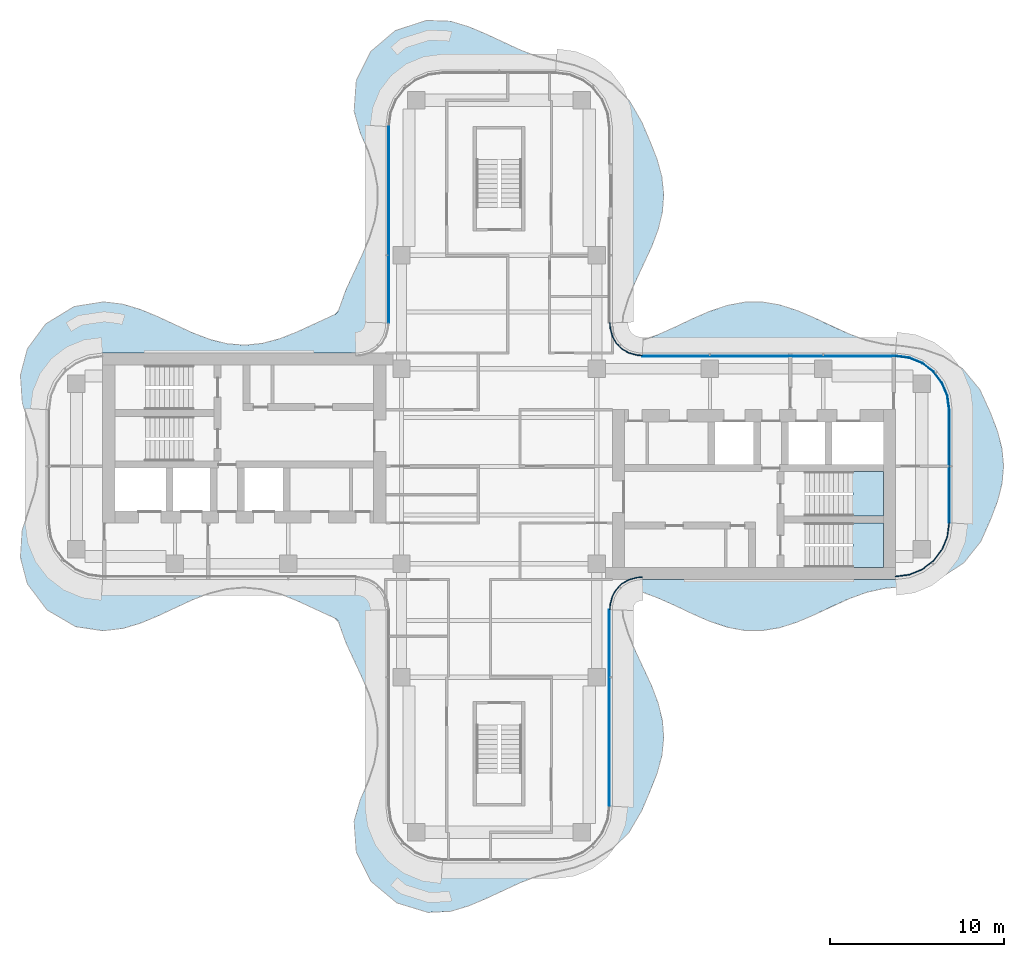
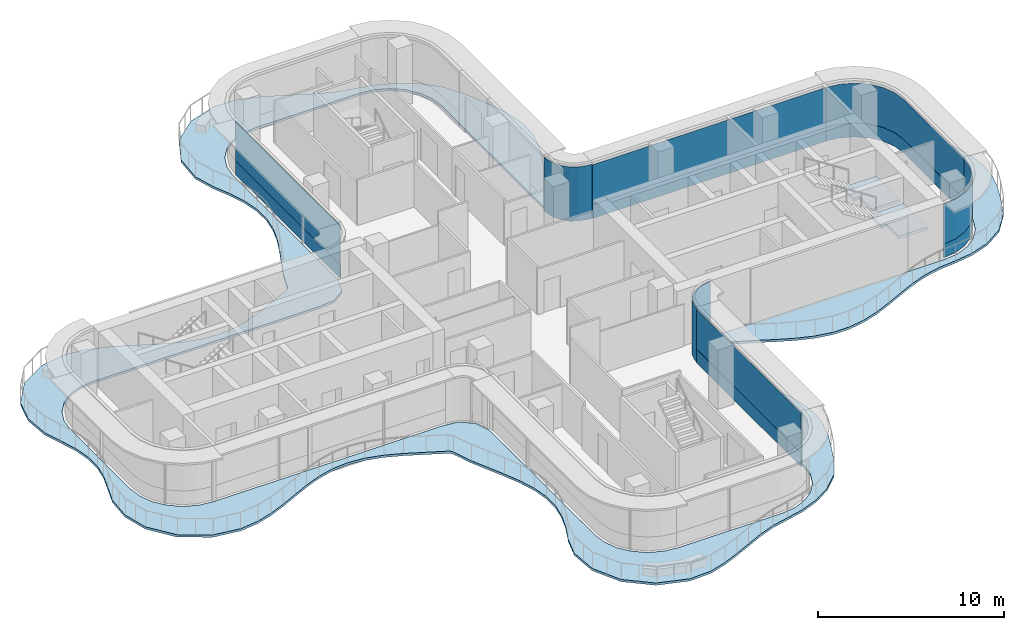
# One storey, part 9 of 15: 12 plates, 3 slabs, 9 elements without a shape of their own.
"""IFC4 building model written with IfcOpenShell, lengths in metres."""

from ifc_helpers import new_model, si_unit, direction, frame, origin, place, context, subcontext, project, spatial, polyline, outline, extrude, source, transform, mapped, material, layer, layer_set, type_object, element, aggregate, save


model = new_model("IFC4")

# Units and contexts
model_context = context("Model", 3, precision=1e-05, world=origin(), true_north=direction((0.0, 1.0)))
body_context = subcontext(model_context, "Body", "Model", "MODEL_VIEW")
ifc_project = project(units=[si_unit("LENGTHUNIT", "METRE"), si_unit("AREAUNIT", "SQUARE_METRE"), si_unit("VOLUMEUNIT", "CUBIC_METRE"), si_unit("PLANEANGLEUNIT", "RADIAN"), si_unit("MASSUNIT", "GRAM", prefix="KILO")], contexts=[model_context])

# Site, building, storey
site_placement = place(None, origin())
site = spatial("IfcSite", under=ifc_project, at=site_placement, CompositionType="ELEMENT")
building_placement = place(site_placement, origin())
building = spatial("IfcBuilding", under=site, at=building_placement, Name="Trellis Farm Tower", CompositionType="ELEMENT")
storey_placement = place(building_placement, frame((0.0, 0.0, 287.199951171875)))
storey = spatial("IfcBuildingStorey", under=building, at=storey_placement, Name="L64", CompositionType="ELEMENT", Elevation=287.199951171875)

# Slab
ifc_material_1 = material(Name="Concrete C40/50", Category="concrete")
ifc_layer_1 = layer(ifc_material_1, 0.14990234375)
ifc_layer_set_1 = layer_set([ifc_layer_1], Name="Balcony slab 150")
slab_type_1 = type_object("IfcSlabType", Name="Balcony slab 150", PredefinedType="FLOOR", material=ifc_layer_set_1)
slab_1_placement = place(storey_placement, frame((0.0, 0.0, -0.14990234375)))
element("IfcSlab", 1, at=slab_1_placement, inside=storey, type_object=slab_type_1, Name="Balcony slab", PredefinedType="FLOOR", context=body_context, shape_type="SweptSolid", body=[
    extrude(outline(polyline([(-26.47802734375, -0.5234375), (-26.47265625, 0.462158203125), (-26.473876953125, 0.475341796875), (-26.65625, 1.516845703125), (-26.658935546875, 1.527587890625), (-27.3544921875, 3.62353515625), (-27.36181640625, 3.660400390625), (-27.46875, 5.182373046875), (-27.464599609375, 5.22998046875), (-27.092529296875, 6.68212890625), (-27.082763671875, 6.709228515625), (-27.066650390625, 6.742919921875), (-27.0517578125, 6.767822265625), (-26.01708984375, 8.16796875), (-25.997314453125, 8.18994140625), (-25.968994140625, 8.2158203125), (-25.945068359375, 8.2333984375), (-24.38232421875, 9.167724609375), (-24.356201171875, 9.180419921875), (-24.32080078125, 9.19287109375), (-24.2919921875, 9.2001953125), (-22.690185546875, 9.435791015625), (-22.64990234375, 9.436279296875), (-21.626220703125, 9.30859375), (-21.60205078125, 9.3037109375), (-20.599609375, 9.0068359375), (-20.584716796875, 9.001708984375), (-19.6005859375, 8.593994140625), (-19.5947265625, 8.59130859375), (-17.6162109375, 7.670654296875), (-17.611083984375, 7.66845703125), (-16.588134765625, 7.27880859375), (-16.579345703125, 7.276123046875), (-15.58251953125, 7.03125), (-15.570556640625, 7.029296875), (-14.58154296875, 6.953857421875), (-14.568115234375, 6.9541015625), (-13.585693359375, 7.054931640625), (-13.57421875, 7.056884765625), (-12.593505859375, 7.318603515625), (-12.585205078125, 7.3212890625), (-11.601318359375, 7.707763671875), (-11.597412109375, 7.70947265625), (-9.42236328125, 8.711669921875), (-9.410888671875, 8.718017578125), (-9.303466796875, 8.792724609375), (-9.281494140625, 8.81689453125), (-9.216552734375, 8.930419921875), (-9.211181640625, 8.9423828125), (-8.79296875, 10.10693359375), (-8.7880859375, 10.119384765625), (-7.87109375, 12.09814453125), (-7.870361328125, 12.10009765625), (-7.45068359375, 13.085693359375), (-7.447998046875, 13.09228515625), (-7.135986328125, 14.073974609375), (-7.133544921875, 14.08447265625), (-6.97119140625, 15.0654296875), (-6.97021484375, 15.07861328125), (-6.981201171875, 16.064697265625), (-6.982421875, 16.07763671875), (-7.168212890625, 17.07177734375), (-7.1708984375, 17.081787109375), (-7.507568359375, 18.08251953125), (-7.510009765625, 18.08837890625), (-7.951416015625, 19.10107421875), (-7.9580078125, 19.119140625), (-8.31396484375, 20.342529296875), (-8.319091796875, 20.368408203125), (-8.322509765625, 20.402587890625), (-8.322998046875, 20.42919921875), (-8.207275390625, 22.077392578125), (-8.202392578125, 22.10595703125), (-8.1923828125, 22.142333984375), (-8.182373046875, 22.16943359375), (-7.406494140625, 23.744140625), (-7.39013671875, 23.77001953125), (-7.36572265625, 23.80126953125), (-7.344482421875, 23.823486328125), (-5.9560546875, 25.000732421875), (-5.931396484375, 25.017578125), (-5.897705078125, 25.036376953125), (-5.870361328125, 25.048095703125), (-4.167724609375, 25.584716796875), (-4.14208984375, 25.590576171875), (-4.10791015625, 25.594970703125), (-4.081787109375, 25.595947265625), (-2.788330078125, 25.5361328125), (-2.751708984375, 25.52978515625), (-1.763916015625, 25.229248046875), (-1.74951171875, 25.22412109375), (-0.748291015625, 24.802490234375), (-0.743408203125, 24.80029296875), (1.23486328125, 23.882080078125), (1.240234375, 23.8798828125), (2.2216796875, 23.51318359375), (2.23095703125, 23.51025390625), (4.34912109375, 23.01611328125), (4.3701171875, 23.009521484375), (5.429931640625, 22.59228515625), (5.452880859375, 22.5810546875), (6.489990234375, 21.95068359375), (6.516845703125, 21.9296875), (7.451171875, 21.015380859375), (7.476318359375, 20.98291015625), (8.191162109375, 19.743896484375), (8.199462890625, 19.727294921875), (8.674560546875, 18.6025390625), (8.67578125, 18.599609375), (9.0654296875, 17.6171875), (9.07080078125, 17.601318359375), (9.336181640625, 16.626220703125), (9.3408203125, 16.6025390625), (9.44677734375, 15.60009765625), (9.447021484375, 15.572998046875), (9.373046875, 14.601318359375), (9.369140625, 14.5771484375), (9.130615234375, 13.602783203125), (9.125244140625, 13.58544921875), (8.75439453125, 12.604736328125), (8.75, 12.594482421875), (7.830078125, 10.615234375), (7.828857421875, 10.61279296875), (7.416748046875, 9.627685546875), (7.414306640625, 9.62060546875), (7.118408203125, 8.652587890625), (7.115478515625, 8.637451171875), (7.051025390625, 7.925537109375), (7.053955078125, 7.8974609375), (7.119140625, 7.68115234375), (7.1318359375, 7.65673828125), (7.365478515625, 7.3583984375), (7.377197265625, 7.3466796875), (7.47607421875, 7.265625), (7.5048828125, 7.251220703125), (7.629150390625, 7.219970703125), (7.6455078125, 7.2177734375), (8.101318359375, 7.205810546875), (8.115478515625, 7.206787109375), (8.231689453125, 7.226318359375), (8.24560546875, 7.229736328125), (9.119384765625, 7.553955078125), (9.123779296875, 7.5556640625), (10.113525390625, 7.996337890625), (10.114990234375, 7.9970703125), (11.10986328125, 8.46923828125), (11.1142578125, 8.47119140625), (12.095458984375, 8.89892578125), (12.107666015625, 8.903564453125), (13.0859375, 9.2314453125), (13.106201171875, 9.236572265625), (14.078857421875, 9.417724609375), (14.104736328125, 9.42041015625), (15.0771484375, 9.430908203125), (15.103271484375, 9.428955078125), (16.08154296875, 9.26611328125), (16.102783203125, 9.260986328125), (17.08935546875, 8.944580078125), (17.1025390625, 8.939697265625), (18.09716796875, 8.513671875), (18.102294921875, 8.511474609375), (19.09814453125, 8.03955078125), (19.099609375, 8.038818359375), (20.086181640625, 7.59423828125), (20.091552734375, 7.592041015625), (21.07421875, 7.235107421875), (21.08349609375, 7.232421875), (22.1162109375, 7.0029296875), (22.12548828125, 7.00146484375), (23.155029296875, 6.905029296875), (23.163330078125, 6.904052734375), (24.277099609375, 6.735595703125), (24.303466796875, 6.729248046875), (25.453857421875, 6.333984375), (25.486328125, 6.318359375), (26.5908203125, 5.607421875), (26.62548828125, 5.576171875), (27.588623046875, 4.400634765625), (27.609375, 4.3671875), (28.211669921875, 3.028564453125), (28.215087890625, 3.02001953125), (28.602294921875, 1.996337890625), (28.607421875, 1.980712890625), (28.853515625, 1.0244140625), (28.857421875, 1.000732421875), (28.947265625, 0.029052734375), (28.947509765625, 0.002197265625), (28.8623046875, -0.97265625), (28.858154296875, -0.996826171875), (28.607421875, -1.980712890625), (28.602294921875, -1.99658203125), (28.215087890625, -3.0205078125), (28.2119140625, -3.0283203125), (27.6328125, -4.32861328125), (27.61279296875, -4.36181640625), (26.666748046875, -5.538818359375), (26.63134765625, -5.57080078125), (25.448486328125, -6.33642578125), (25.414794921875, -6.352783203125), (24.272705078125, -6.73681640625), (24.2470703125, -6.742919921875), (23.1630859375, -6.904052734375), (23.155029296875, -6.905029296875), (22.12548828125, -7.00146484375), (22.1162109375, -7.0029296875), (21.08349609375, -7.232421875), (21.07421875, -7.235107421875), (20.091552734375, -7.592041015625), (20.086181640625, -7.59423828125), (19.099609375, -8.038818359375), (19.09814453125, -8.03955078125), (18.102294921875, -8.511474609375), (18.09716796875, -8.513671875), (17.1025390625, -8.939697265625), (17.08935546875, -8.944580078125), (16.102783203125, -9.260986328125), (16.08154296875, -9.26611328125), (15.103271484375, -9.428955078125), (15.0771484375, -9.430908203125), (14.104736328125, -9.42041015625), (14.078857421875, -9.417724609375), (13.106201171875, -9.236572265625), (13.0859375, -9.2314453125), (12.107666015625, -8.903564453125), (12.095458984375, -8.89892578125), (11.1142578125, -8.47119140625), (11.10986328125, -8.46923828125), (10.114990234375, -7.9970703125), (10.113525390625, -7.996337890625), (9.123779296875, -7.5556640625), (9.119384765625, -7.553955078125), (8.24560546875, -7.229736328125), (8.231689453125, -7.226318359375), (8.115478515625, -7.206787109375), (8.101318359375, -7.205810546875), (7.6455078125, -7.2177734375), (7.629150390625, -7.219970703125), (7.5048828125, -7.251220703125), (7.47607421875, -7.265625), (7.377197265625, -7.3466796875), (7.365478515625, -7.3583984375), (7.1318359375, -7.65673828125), (7.119140625, -7.68115234375), (7.053955078125, -7.8974609375), (7.051025390625, -7.925537109375), (7.115478515625, -8.637451171875), (7.118408203125, -8.652587890625), (7.414306640625, -9.62060546875), (7.416748046875, -9.627685546875), (7.828857421875, -10.61279296875), (7.830078125, -10.615234375), (8.75, -12.594482421875), (8.75439453125, -12.604736328125), (9.125244140625, -13.58544921875), (9.130615234375, -13.602783203125), (9.369140625, -14.5771484375), (9.373046875, -14.601318359375), (9.447021484375, -15.572998046875), (9.44677734375, -15.599853515625), (9.345703125, -16.575439453125), (9.341552734375, -16.598876953125), (9.0771484375, -17.58251953125), (9.07177734375, -17.5986328125), (8.67578125, -18.599365234375), (8.67431640625, -18.602783203125), (8.189697265625, -19.74658203125), (8.18115234375, -19.763916015625), (7.44677734375, -21.02099609375), (7.421630859375, -21.052978515625), (6.5166015625, -21.93017578125), (6.490234375, -21.950439453125), (5.479248046875, -22.56787109375), (5.456298828125, -22.579345703125), (4.3701171875, -23.009521484375), (4.34912109375, -23.01611328125), (2.23095703125, -23.51025390625), (2.2216796875, -23.51318359375), (1.240234375, -23.8798828125), (1.23486328125, -23.882080078125), (-0.743408203125, -24.80029296875), (-0.748291015625, -24.802490234375), (-1.7333984375, -25.21826171875), (-1.747802734375, -25.223388671875), (-2.751708984375, -25.52978515625), (-2.78857421875, -25.5361328125), (-4.081787109375, -25.595947265625), (-4.10791015625, -25.594970703125), (-4.14208984375, -25.590576171875), (-4.167724609375, -25.584716796875), (-5.870361328125, -25.048095703125), (-5.897705078125, -25.036376953125), (-5.931396484375, -25.017578125), (-5.9560546875, -25.000732421875), (-7.344482421875, -23.823486328125), (-7.36572265625, -23.80126953125), (-7.39013671875, -23.77001953125), (-7.406494140625, -23.744140625), (-8.182373046875, -22.16943359375), (-8.1923828125, -22.142333984375), (-8.202392578125, -22.10595703125), (-8.207275390625, -22.077392578125), (-8.322998046875, -20.42919921875), (-8.322509765625, -20.402587890625), (-8.319091796875, -20.368408203125), (-8.31396484375, -20.342529296875), (-7.9580078125, -19.119140625), (-7.951416015625, -19.10107421875), (-7.510009765625, -18.08837890625), (-7.507568359375, -18.08251953125), (-7.1708984375, -17.081787109375), (-7.168212890625, -17.07177734375), (-6.982421875, -16.07763671875), (-6.981201171875, -16.064697265625), (-6.97021484375, -15.07861328125), (-6.97119140625, -15.0654296875), (-7.133544921875, -14.08447265625), (-7.135986328125, -14.073974609375), (-7.447998046875, -13.09228515625), (-7.45068359375, -13.085693359375), (-7.870361328125, -12.10009765625), (-7.87109375, -12.09814453125), (-8.7880859375, -10.119384765625), (-8.79296875, -10.10693359375), (-9.211181640625, -8.9423828125), (-9.216552734375, -8.930419921875), (-9.281494140625, -8.81689453125), (-9.303466796875, -8.792724609375), (-9.410888671875, -8.718017578125), (-9.42236328125, -8.711669921875), (-11.597412109375, -7.70947265625), (-11.601318359375, -7.707763671875), (-12.585205078125, -7.3212890625), (-12.593505859375, -7.318603515625), (-13.629150390625, -7.047119140625), (-13.64111328125, -7.044921875), (-14.630859375, -6.953369140625), (-14.644287109375, -6.953369140625), (-15.626953125, -7.03857421875), (-15.638916015625, -7.04052734375), (-16.61962890625, -7.288818359375), (-16.628173828125, -7.29150390625), (-17.611328125, -7.66845703125), (-17.6162109375, -7.67041015625), (-19.5947265625, -8.59130859375), (-19.6005859375, -8.593994140625), (-20.5849609375, -9.001708984375), (-20.599609375, -9.0068359375), (-21.573486328125, -9.297607421875), (-21.598388671875, -9.302734375), (-22.697509765625, -9.435546875), (-22.73779296875, -9.43505859375), (-24.292236328125, -9.2001953125), (-24.320556640625, -9.193115234375), (-24.356201171875, -9.180419921875), (-24.38232421875, -9.167724609375), (-25.945068359375, -8.2333984375), (-25.968994140625, -8.2158203125), (-25.997314453125, -8.18994140625), (-26.01708984375, -8.16796875), (-27.0517578125, -6.767822265625), (-27.066650390625, -6.742919921875), (-27.082763671875, -6.709228515625), (-27.092529296875, -6.68212890625), (-27.464599609375, -5.229736328125), (-27.468994140625, -5.1826171875), (-27.370361328125, -3.703125), (-27.36328125, -3.666259765625), (-26.646728515625, -1.47900390625), (-26.644287109375, -1.46875), (-26.479248046875, -0.5361328125), (-26.47802734375, -0.5234375)]), holes=[polyline([(-6.82470703125, 7.20947265625), (-6.8583984375, 7.1640625), (-6.89111328125, 7.1318359375), (-7.57177734375, 6.643310546875), (-7.605712890625, 6.625), (-7.6513671875, 6.607666015625), (-7.68896484375, 6.5986328125), (-8.61328125, 6.500732421875), (-8.61767578125, 6.50048828125), (-22.75, 6.50048828125), (-23.59130859375, 6.389892578125), (-24.375244140625, 6.065185546875), (-25.048583984375, 5.548583984375), (-25.565185546875, 4.875244140625), (-25.889892578125, 4.09130859375), (-26.00048828125, 3.25), (-26.00048828125, -3.25), (-25.889892578125, -4.09130859375), (-25.565185546875, -4.875244140625), (-25.048583984375, -5.548583984375), (-24.375244140625, -6.065185546875), (-23.59130859375, -6.389892578125), (-22.75, -6.50048828125), (-8.61767578125, -6.50048828125), (-8.61328125, -6.500732421875), (-7.68896484375, -6.5986328125), (-7.6513671875, -6.607666015625), (-7.605712890625, -6.625), (-7.57177734375, -6.643310546875), (-6.89111328125, -7.1318359375), (-6.8583984375, -7.1640625), (-6.82470703125, -7.20947265625), (-6.802734375, -7.25146484375), (-6.515380859375, -8.11474609375), (-6.5078125, -8.162109375), (-6.50048828125, -18.239013671875), (-6.50048828125, -19.5), (-6.389892578125, -20.34130859375), (-6.065185546875, -21.125244140625), (-5.548583984375, -21.798583984375), (-4.875244140625, -22.315185546875), (-4.09130859375, -22.639892578125), (-3.25, -22.75048828125), (3.25, -22.75048828125), (4.09130859375, -22.639892578125), (4.875244140625, -22.315185546875), (5.548583984375, -21.798583984375), (6.065185546875, -21.125244140625), (6.389892578125, -20.34130859375), (6.50048828125, -19.5), (6.50048828125, -12.636962890625), (6.5009765625, -8.607421875), (6.501953125, -8.59130859375), (6.599365234375, -7.68603515625), (6.6083984375, -7.6484375), (6.6259765625, -7.602783203125), (6.644287109375, -7.568603515625), (7.134521484375, -6.889404296875), (7.166748046875, -6.856689453125), (7.2119140625, -6.822998046875), (7.254150390625, -6.80126953125), (8.117919921875, -6.51513671875), (8.164794921875, -6.507568359375), (20.985107421875, -6.50048828125), (22.75, -6.50048828125), (23.59130859375, -6.389892578125), (24.375244140625, -6.065185546875), (25.048583984375, -5.548583984375), (25.565185546875, -4.875244140625), (25.889892578125, -4.09130859375), (26.00048828125, -3.25), (26.00048828125, 3.25), (25.889892578125, 4.09130859375), (25.565185546875, 4.875244140625), (25.048583984375, 5.548583984375), (24.375244140625, 6.065185546875), (23.59130859375, 6.389892578125), (22.75, 6.50048828125), (20.985107421875, 6.50048828125), (8.164794921875, 6.507568359375), (8.117919921875, 6.51513671875), (7.254150390625, 6.80126953125), (7.2119140625, 6.822998046875), (7.166748046875, 6.856689453125), (7.134521484375, 6.889404296875), (6.644287109375, 7.568603515625), (6.6259765625, 7.602783203125), (6.6083984375, 7.6484375), (6.599365234375, 7.686279296875), (6.500732421875, 8.610107421875), (6.50048828125, 8.614990234375), (6.50048828125, 19.5), (6.389892578125, 20.34130859375), (6.065185546875, 21.125244140625), (5.548583984375, 21.798583984375), (4.875244140625, 22.315185546875), (4.09130859375, 22.639892578125), (3.25, 22.75048828125), (-3.25, 22.75048828125), (-4.09130859375, 22.639892578125), (-4.875244140625, 22.315185546875), (-5.548583984375, 21.798583984375), (-6.065185546875, 21.125244140625), (-6.389892578125, 20.34130859375), (-6.50048828125, 19.5), (-6.50048828125, 17.03369140625), (-6.5078125, 8.162109375), (-6.515380859375, 8.11474609375), (-6.802734375, 7.25146484375), (-6.82470703125, 7.20947265625)])]), origin(), (0.0, 0.0, 1.0), 0.14990234375),
])

# Stair, slab
ifc_material_2 = material(Name="Concrete C50/60", Category="concrete")
stair_type = type_object("IfcStairType", Name="CORE EXIT STAIR 22 RISERS 177 MM", PredefinedType="HALF_TURN_STAIR", material=ifc_material_2)
placement_1 = place(storey_placement, origin())
stair_1 = element("IfcStair", 2, at=placement_1, inside=storey, type_object=stair_type, Name="Exit stair E1", PredefinedType="HALF_TURN_STAIR")
ifc_layer_2 = layer(ifc_material_2, 0.18994140625)
ifc_layer_set_2 = layer_set([ifc_layer_2], Name="CORE STAIR LANDING 190 CONCRETE C50/60")
slab_type_2 = type_object("IfcSlabType", Name="CORE STAIR LANDING 190 CONCRETE C50/60", PredefinedType="LANDING", material=ifc_layer_set_2)
shared_shape_1 = source(origin(), body_context, "Body", "SweptSolid", [
    extrude(outline(polyline([(20.2900390625, -5.800048828125), (20.2900390625, -4.60009765625), (20.300048828125, -4.60009765625), (20.300048828125, -4.449951171875), (19.971923828125, -4.449951171875), (19.971923828125, -3.25), (20.300048828125, -3.25), (22.050048828125, -3.25), (22.050048828125, -5.800048828125), (20.300048828125, -5.800048828125), (20.2900390625, -5.800048828125)])), origin(), (0.0, 0.0, 1.0), 0.18994140625),
])
placement_2 = place(storey_placement, frame((0.0, 0.0, 1.760009765625)))
slab_2 = element("IfcSlab", 3, at=placement_2, type_object=slab_type_2, Name="STE1 landing 1", PredefinedType="LANDING", context=body_context, shape_type="MappedRepresentation", body=[
    mapped(shared_shape_1, transform((0.0, 0.0, 0.0))),
])
aggregate(stair_1, [slab_2])

stair_2 = element("IfcStair", 4, at=placement_1, inside=storey, type_object=stair_type, Name="Exit stair E2", PredefinedType="HALF_TURN_STAIR")
shared_shape_2 = source(origin(), body_context, "Body", "SweptSolid", [
    extrude(outline(polyline([(20.2900390625, -2.85009765625), (20.2900390625, -1.64990234375), (20.300048828125, -1.64990234375), (20.300048828125, -1.5), (19.971923828125, -1.5), (19.971923828125, -0.300048828125), (20.300048828125, -0.300048828125), (22.050048828125, -0.300048828125), (22.050048828125, -2.85009765625), (20.300048828125, -2.85009765625), (20.2900390625, -2.85009765625)])), origin(), (0.0, 0.0, 1.0), 0.18994140625),
])
slab_3 = element("IfcSlab", 5, at=placement_2, type_object=slab_type_2, Name="STE2 landing 1", PredefinedType="LANDING", context=body_context, shape_type="MappedRepresentation", body=[
    mapped(shared_shape_2, transform((0.0, 0.0, 0.0))),
])
aggregate(stair_2, [slab_3])

# Curtain wall, plate
ifc_material_3 = material(Name="Aluminium and glass curtain wall", Category="aluminium")
ifc_layer_3 = layer(ifc_material_3, 0.166015625)
ifc_layer_set_3 = layer_set([ifc_layer_3], Name="WINTER GARDEN CURTAIN WALL CW3")
curtain_wall_type_1 = type_object("IfcCurtainWallType", Name="WINTER GARDEN CURTAIN WALL CW3", PredefinedType="NOTDEFINED", material=ifc_layer_set_3)
curtain_wall_1 = element("IfcCurtainWall", 6, at=placement_1, inside=storey, type_object=curtain_wall_type_1, Name="CW3 002", PredefinedType="NOTDEFINED")
ifc_material_4 = material(Name="Clear insulated glass", Category="glass")
ifc_layer_4 = layer(ifc_material_4, 0.0458984375)
ifc_layer_set_4 = layer_set([ifc_layer_4], Name="CW3 GLASS PANEL 46")
plate_type_1 = type_object("IfcPlateType", Name="CW3 GLASS PANEL 46", PredefinedType="CURTAIN_PANEL", material=ifc_layer_set_4)
shared_shape_3 = source(origin(), body_context, "Body", "SweptSolid", [
    extrude(outline(polyline([(6.3798828125, -8.2275390625), (6.394287109375, -8.0078125), (6.40966796875, -7.89208984375), (6.52490234375, -7.462158203125), (6.7509765625, -7.070556640625), (7.070556640625, -6.7509765625), (7.462158203125, -6.52490234375), (7.89208984375, -6.40966796875), (8.0078125, -6.394287109375), (8.2275390625, -6.3798828125), (8.22607421875, -6.333984375), (8.003173828125, -6.3486328125), (7.883056640625, -6.364501953125), (7.4443359375, -6.48193359375), (7.04248046875, -6.714111328125), (6.714111328125, -7.04248046875), (6.48193359375, -7.4443359375), (6.364501953125, -7.883056640625), (6.3486328125, -8.003173828125), (6.333984375, -8.22607421875), (6.3798828125, -8.2275390625)])), origin(), (0.0, 0.0, 1.0), 3.550048828125),
])
plate_1 = element("IfcPlate", 7, at=placement_1, type_object=plate_type_1, Name="PL3 002", PredefinedType="CURTAIN_PANEL", context=body_context, shape_type="MappedRepresentation", body=[
    mapped(shared_shape_3, transform((0.0, 0.0, 0.0))),
])
aggregate(curtain_wall_1, [plate_1])

curtain_wall_2 = element("IfcCurtainWall", 8, at=placement_1, inside=storey, type_object=curtain_wall_type_1, Name="CW3 003", PredefinedType="NOTDEFINED")
shared_shape_4 = source(origin(), body_context, "Body", "SweptSolid", [
    extrude(outline(polyline([(8.2275390625, 6.3798828125), (8.0078125, 6.394287109375), (7.89208984375, 6.40966796875), (7.462158203125, 6.52490234375), (7.070556640625, 6.7509765625), (6.7509765625, 7.070556640625), (6.52490234375, 7.462158203125), (6.40966796875, 7.89208984375), (6.394287109375, 8.0078125), (6.3798828125, 8.2275390625), (6.333984375, 8.22607421875), (6.3486328125, 8.003173828125), (6.364501953125, 7.883056640625), (6.48193359375, 7.4443359375), (6.714111328125, 7.04248046875), (7.04248046875, 6.714111328125), (7.4443359375, 6.48193359375), (7.883056640625, 6.364501953125), (8.003173828125, 6.3486328125), (8.22607421875, 6.333984375), (8.2275390625, 6.3798828125)])), origin(), (0.0, 0.0, 1.0), 3.550048828125),
])
plate_2 = element("IfcPlate", 9, at=placement_1, type_object=plate_type_1, Name="PL3 003", PredefinedType="CURTAIN_PANEL", context=body_context, shape_type="MappedRepresentation", body=[
    mapped(shared_shape_4, transform((0.0, 0.0, 0.0))),
])
aggregate(curtain_wall_2, [plate_2])

# Curtain wall, plates
ifc_layer_5 = layer(ifc_material_3, 0.18994140625)
ifc_layer_set_5 = layer_set([ifc_layer_5], Name="RIBBON CURTAIN WALL CW1")
curtain_wall_type_2 = type_object("IfcCurtainWallType", Name="RIBBON CURTAIN WALL CW1", PredefinedType="NOTDEFINED", material=ifc_layer_set_5)
curtain_wall_3 = element("IfcCurtainWall", 10, at=placement_1, inside=storey, type_object=curtain_wall_type_2, Name="CW1 011", PredefinedType="NOTDEFINED")
ifc_layer_6 = layer(ifc_material_4, 0.0400390625)
ifc_layer_set_6 = layer_set([ifc_layer_6], Name="CW1 GLASS PANEL 40")
plate_type_2 = type_object("IfcPlateType", Name="CW1 GLASS PANEL 40", PredefinedType="CURTAIN_PANEL", material=ifc_layer_set_6)
shared_shape_5 = source(origin(), body_context, "Body", "SweptSolid", [
    extrude(outline(polyline([(-6.35009765625, 19.490234375), (-6.35009765625, 8.2265625), (-6.31005859375, 8.22509765625), (-6.31005859375, 19.487548828125), (-6.35009765625, 19.490234375)])), origin(), (0.0, 0.0, 1.0), 2.619873046875),
])
placement_3 = place(storey_placement, frame((0.0, 0.0, 0.900146484375)))
plate_3 = element("IfcPlate", 11, at=placement_3, type_object=plate_type_2, Name="PL1 011", PredefinedType="CURTAIN_PANEL", context=body_context, shape_type="MappedRepresentation", body=[
    mapped(shared_shape_5, transform((0.0, 0.0, 0.0))),
])
ifc_material_5 = material(Name="Sandstone faced insulated panel", Category="masonry")
ifc_layer_7 = layer(ifc_material_5, 0.050048828125)
ifc_layer_set_7 = layer_set([ifc_layer_7], Name="CW1 STONE SPANDREL PANEL 50")
plate_type_3 = type_object("IfcPlateType", Name="CW1 STONE SPANDREL PANEL 50", PredefinedType="CURTAIN_PANEL", material=ifc_layer_set_7)
shared_shape_6 = source(origin(), body_context, "Body", "SweptSolid", [
    extrude(outline(polyline([(-6.35009765625, 19.490234375), (-6.35009765625, 8.2265625), (-6.300048828125, 8.224853515625), (-6.300048828125, 19.48681640625), (-6.35009765625, 19.490234375)])), origin(), (0.0, 0.0, 1.0), 0.900146484375),
])
plate_4 = element("IfcPlate", 12, at=placement_1, type_object=plate_type_3, Name="PS1 011", PredefinedType="CURTAIN_PANEL", context=body_context, shape_type="MappedRepresentation", body=[
    mapped(shared_shape_6, transform((0.0, 0.0, 0.0))),
])
aggregate(curtain_wall_3, [plate_3, plate_4])

curtain_wall_4 = element("IfcCurtainWall", 13, at=placement_1, inside=storey, type_object=curtain_wall_type_2, Name="CW1 005", PredefinedType="NOTDEFINED")
shared_shape_7 = source(origin(), body_context, "Body", "SweptSolid", [
    extrude(outline(polyline([(22.740234375, -6.35009765625), (23.552001953125, -6.2431640625), (24.29931640625, -5.93359375), (24.941162109375, -5.441162109375), (25.43359375, -4.79931640625), (25.7431640625, -4.052001953125), (25.85009765625, -3.240234375), (25.81005859375, -3.237548828125), (25.7041015625, -4.04150390625), (25.398681640625, -4.779296875), (24.91259765625, -5.41259765625), (24.279296875, -5.898681640625), (23.54150390625, -6.2041015625), (22.737548828125, -6.31005859375), (22.740234375, -6.35009765625)])), origin(), (0.0, 0.0, 1.0), 2.619873046875),
])
plate_5 = element("IfcPlate", 14, at=placement_3, type_object=plate_type_2, Name="PL1 005", PredefinedType="CURTAIN_PANEL", context=body_context, shape_type="MappedRepresentation", body=[
    mapped(shared_shape_7, transform((0.0, 0.0, 0.0))),
])
shared_shape_8 = source(origin(), body_context, "Body", "SweptSolid", [
    extrude(outline(polyline([(22.740234375, -6.35009765625), (23.552001953125, -6.2431640625), (24.29931640625, -5.93359375), (24.941162109375, -5.441162109375), (25.43359375, -4.79931640625), (25.7431640625, -4.052001953125), (25.85009765625, -3.240234375), (25.800048828125, -3.23681640625), (25.6943359375, -4.0390625), (25.389892578125, -4.774169921875), (24.905517578125, -5.405517578125), (24.274169921875, -5.889892578125), (23.5390625, -6.1943359375), (22.73681640625, -6.300048828125), (22.740234375, -6.35009765625)])), origin(), (0.0, 0.0, 1.0), 0.900146484375),
])
plate_6 = element("IfcPlate", 15, at=placement_1, type_object=plate_type_3, Name="PS1 005", PredefinedType="CURTAIN_PANEL", context=body_context, shape_type="MappedRepresentation", body=[
    mapped(shared_shape_8, transform((0.0, 0.0, 0.0))),
])
aggregate(curtain_wall_4, [plate_5, plate_6])

curtain_wall_5 = element("IfcCurtainWall", 16, at=placement_1, inside=storey, type_object=curtain_wall_type_2, Name="CW1 007", PredefinedType="NOTDEFINED")
shared_shape_9 = source(origin(), body_context, "Body", "SweptSolid", [
    extrude(outline(polyline([(22.740234375, 6.35009765625), (8.2265625, 6.35009765625), (8.22509765625, 6.31005859375), (22.737548828125, 6.31005859375), (22.740234375, 6.35009765625)])), origin(), (0.0, 0.0, 1.0), 2.619873046875),
])
plate_7 = element("IfcPlate", 17, at=placement_3, type_object=plate_type_2, Name="PL1 007", PredefinedType="CURTAIN_PANEL", context=body_context, shape_type="MappedRepresentation", body=[
    mapped(shared_shape_9, transform((0.0, 0.0, 0.0))),
])
shared_shape_10 = source(origin(), body_context, "Body", "SweptSolid", [
    extrude(outline(polyline([(22.740234375, 6.35009765625), (8.2265625, 6.35009765625), (8.224853515625, 6.300048828125), (22.73681640625, 6.300048828125), (22.740234375, 6.35009765625)])), origin(), (0.0, 0.0, 1.0), 0.900146484375),
])
plate_8 = element("IfcPlate", 18, at=placement_1, type_object=plate_type_3, Name="PS1 007", PredefinedType="CURTAIN_PANEL", context=body_context, shape_type="MappedRepresentation", body=[
    mapped(shared_shape_10, transform((0.0, 0.0, 0.0))),
])
aggregate(curtain_wall_5, [plate_7, plate_8])

curtain_wall_6 = element("IfcCurtainWall", 19, at=placement_1, inside=storey, type_object=curtain_wall_type_2, Name="CW1 006", PredefinedType="NOTDEFINED")
shared_shape_11 = source(origin(), body_context, "Body", "SweptSolid", [
    extrude(outline(polyline([(25.85009765625, -3.240234375), (25.85009765625, 3.240234375), (25.7431640625, 4.052001953125), (25.43359375, 4.79931640625), (24.941162109375, 5.441162109375), (24.29931640625, 5.93359375), (23.552001953125, 6.2431640625), (22.740234375, 6.35009765625), (22.737548828125, 6.31005859375), (23.54150390625, 6.2041015625), (24.279296875, 5.898681640625), (24.91259765625, 5.41259765625), (25.398681640625, 4.779296875), (25.7041015625, 4.04150390625), (25.81005859375, 3.237548828125), (25.81005859375, -3.237548828125), (25.85009765625, -3.240234375)])), origin(), (0.0, 0.0, 1.0), 2.619873046875),
])
plate_9 = element("IfcPlate", 20, at=placement_3, type_object=plate_type_2, Name="PL1 006", PredefinedType="CURTAIN_PANEL", context=body_context, shape_type="MappedRepresentation", body=[
    mapped(shared_shape_11, transform((0.0, 0.0, 0.0))),
])
shared_shape_12 = source(origin(), body_context, "Body", "SweptSolid", [
    extrude(outline(polyline([(25.85009765625, -3.240234375), (25.85009765625, 3.240234375), (25.7431640625, 4.052001953125), (25.43359375, 4.79931640625), (24.941162109375, 5.441162109375), (24.29931640625, 5.93359375), (23.552001953125, 6.2431640625), (22.740234375, 6.35009765625), (22.73681640625, 6.300048828125), (23.5390625, 6.1943359375), (24.274169921875, 5.889892578125), (24.905517578125, 5.405517578125), (25.389892578125, 4.774169921875), (25.6943359375, 4.0390625), (25.800048828125, 3.23681640625), (25.800048828125, -3.23681640625), (25.85009765625, -3.240234375)])), origin(), (0.0, 0.0, 1.0), 0.900146484375),
])
plate_10 = element("IfcPlate", 21, at=placement_1, type_object=plate_type_3, Name="PS1 006", PredefinedType="CURTAIN_PANEL", context=body_context, shape_type="MappedRepresentation", body=[
    mapped(shared_shape_12, transform((0.0, 0.0, 0.0))),
])
aggregate(curtain_wall_6, [plate_9, plate_10])

curtain_wall_7 = element("IfcCurtainWall", 22, at=placement_1, inside=storey, type_object=curtain_wall_type_2, Name="CW1 004", PredefinedType="NOTDEFINED")
shared_shape_13 = source(origin(), body_context, "Body", "SweptSolid", [
    extrude(outline(polyline([(6.35009765625, -19.490234375), (6.35009765625, -8.2265625), (6.31005859375, -8.22509765625), (6.31005859375, -19.487548828125), (6.35009765625, -19.490234375)])), origin(), (0.0, 0.0, 1.0), 2.619873046875),
])
plate_11 = element("IfcPlate", 23, at=placement_3, type_object=plate_type_2, Name="PL1 004", PredefinedType="CURTAIN_PANEL", context=body_context, shape_type="MappedRepresentation", body=[
    mapped(shared_shape_13, transform((0.0, 0.0, 0.0))),
])
shared_shape_14 = source(origin(), body_context, "Body", "SweptSolid", [
    extrude(outline(polyline([(6.35009765625, -19.490234375), (6.35009765625, -8.2265625), (6.300048828125, -8.224853515625), (6.300048828125, -19.48681640625), (6.35009765625, -19.490234375)])), origin(), (0.0, 0.0, 1.0), 0.900146484375),
])
plate_12 = element("IfcPlate", 24, at=placement_1, type_object=plate_type_3, Name="PS1 004", PredefinedType="CURTAIN_PANEL", context=body_context, shape_type="MappedRepresentation", body=[
    mapped(shared_shape_14, transform((0.0, 0.0, 0.0))),
])
aggregate(curtain_wall_7, [plate_11, plate_12])

save(model, "model.ifc")
